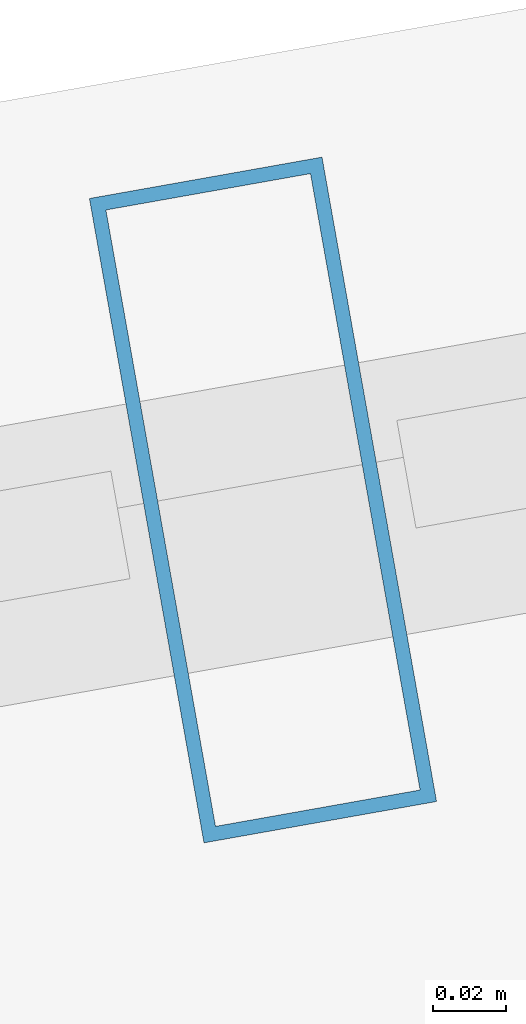
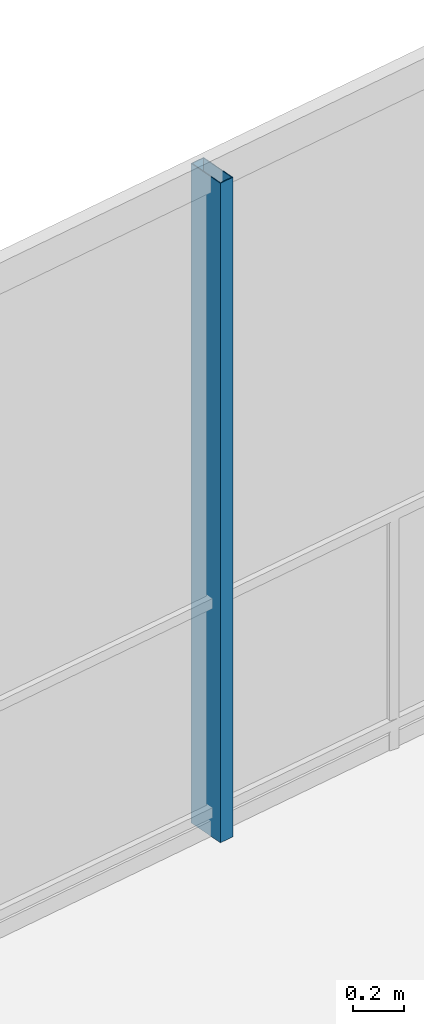
# One storey, part 18 of 27: 1 member, 1 element without a shape of its own.
"""IFC4 building model written with IfcOpenShell, lengths in metres."""

import ifcopenshell
import ifcopenshell.guid

model = None  # the IFC model being written
_history = None  # IfcOwnerHistory: only IFC2X3 demands one
_inside = {}  # id of a spatial element -> (the spatial element, [elements in it])
_under = {}  # id of a project, library or spatial element -> (it, [spatial elements below it])
_declared = {}  # id of a project -> (the project, [libraries it declares])
_typed = {}  # id of a type object -> (the type object, [elements of that type])
_made_of = {}  # id of a material, layer set ... -> (it, [elements and type objects made of it])


def new_model(schema):
    """Start an empty IFC model of exactly this schema.

    Asked for "IFC4X3", IfcOpenShell would pick the latest addendum, in which some entities
    have other attributes; the version numbers below select the first issue.
    IFC2X3 requires an IfcOwnerHistory on every rooted entity: one is made here for all.
    """
    global model, _history
    if schema == "IFC4X3":
        model = ifcopenshell.file(schema_version=(4, 3, 0, 0))
    else:
        model = ifcopenshell.file(schema=schema)
    _inside.clear()
    _under.clear()
    _declared.clear()
    _typed.clear()
    _made_of.clear()
    _history = None
    if model.schema == "IFC2X3":
        org = make("IfcOrganization", Name="unknown")
        user = make(
            "IfcPersonAndOrganization",
            ThePerson=make("IfcPerson", FamilyName="unknown"),
            TheOrganization=org,
        )
        app = make(
            "IfcApplication",
            ApplicationDeveloper=org,
            Version="unknown",
            ApplicationFullName="unknown",
            ApplicationIdentifier="unknown",
        )
        _history = make(
            "IfcOwnerHistory",
            OwningUser=user,
            OwningApplication=app,
            ChangeAction="ADDED",
            CreationDate=0,
        )
    return model


def make(cls, **values):
    """One entity of the class cls with the attributes given. An attribute that is None is left unset."""
    return model.create_entity(
        cls, **{name: value for name, value in values.items() if value is not None}
    )


def rooted(cls, **values):
    """An entity with a GlobalId (a new one), such as an element, a storey or a relation."""
    return make(cls, GlobalId=ifcopenshell.guid.new(), OwnerHistory=_history, **values)


def si_unit(unit_type, name, prefix=None):
    """IfcSIUnit, for example si_unit("LENGTHUNIT", "METRE", prefix="MILLI")."""
    return make("IfcSIUnit", UnitType=unit_type, Prefix=prefix, Name=name)


def assignment(units):
    """IfcUnitAssignment: the units of a project."""
    return None if units is None else make("IfcUnitAssignment", Units=units)


def point(xyz):
    """IfcCartesianPoint."""
    return None if xyz is None else make("IfcCartesianPoint", Coordinates=xyz)


def direction(xyz):
    """IfcDirection."""
    return None if xyz is None else make("IfcDirection", DirectionRatios=xyz)


def frame(location, z_axis=None, x_axis=None):
    """IfcAxis2Placement3D, a coordinate frame: its origin and axes. An axis left out is left unset."""
    return make(
        "IfcAxis2Placement3D",
        Location=point(location),
        Axis=direction(z_axis),
        RefDirection=direction(x_axis),
    )


def frame_2d(location, x_axis=None):
    """IfcAxis2Placement2D, a coordinate frame in the plane: its origin and x axis."""
    return make(
        "IfcAxis2Placement2D", Location=point(location), RefDirection=direction(x_axis)
    )


def origin():
    """The frame at (0, 0, 0) with its axes left unset."""
    return frame((0.0, 0.0, 0.0))


def origin_2d():
    """The frame at (0, 0) in the plane with its x axis left unset."""
    return frame_2d((0.0, 0.0))


def place(relative_to, where):
    """IfcLocalPlacement: puts the frame where relative to a parent placement (None: the world)."""
    return make(
        "IfcLocalPlacement", PlacementRelTo=relative_to, RelativePlacement=where
    )


def context(
    kind, dimensions, precision=None, world=None, true_north=None, identifier=None
):
    """IfcGeometricRepresentationContext, for example the 3D "Model" context."""
    return make(
        "IfcGeometricRepresentationContext",
        ContextIdentifier=identifier,
        ContextType=kind,
        CoordinateSpaceDimension=dimensions,
        Precision=precision,
        WorldCoordinateSystem=world,
        TrueNorth=true_north,
    )


def subcontext(parent, identifier, kind, view, scale=None):
    """IfcGeometricRepresentationSubContext, for example "Body" below "Model"."""
    return make(
        "IfcGeometricRepresentationSubContext",
        ContextIdentifier=identifier,
        ContextType=kind,
        ParentContext=parent,
        TargetScale=scale,
        TargetView=view,
    )


def project(units=None, contexts=None):
    """IfcProject with its units and contexts."""
    return rooted(
        "IfcProject",
        Name="project",
        RepresentationContexts=contexts,
        UnitsInContext=assignment(units),
    )


def spatial(cls, under=None, at=None, **own):
    """A site, building, storey or space (cls), placed at a placement, below another one or the project."""
    s = rooted(cls, ObjectPlacement=at, **own)
    if under is not None:
        _under.setdefault(under.id(), (under, []))[1].append(s)
    return s


def profile(cls, at=None, kind="AREA", **sizes):
    """A parametric profile (cls). Its sizes go by their IFC names, for example OverallWidth=200.0."""
    return make(cls, ProfileType=kind, Position=at, **sizes)


def hollow_rectangle(**sizes):
    """IfcRectangleHollowProfileDef."""
    return profile("IfcRectangleHollowProfileDef", **sizes)


def extrude(swept, where, along, depth):
    """IfcExtrudedAreaSolid: the profile swept, set in the frame where, extruded along a direction by depth."""
    return make(
        "IfcExtrudedAreaSolid",
        SweptArea=swept,
        Position=where,
        ExtrudedDirection=direction(along),
        Depth=depth,
    )


def shape(context_of_items, identifier, shape_type, items):
    """IfcShapeRepresentation: the items that make up one representation, for example the "Body"."""
    return make(
        "IfcShapeRepresentation",
        ContextOfItems=context_of_items,
        RepresentationIdentifier=identifier,
        RepresentationType=shape_type,
        Items=items,
    )


def material(Name=None, Category=None):
    """IfcMaterial."""
    return make("IfcMaterial", Name=Name, Category=Category)


def layer(
    of_material, thickness, ventilated=None, Name=None, Category=None, Priority=None
):
    """IfcMaterialLayer: one layer of a wall or slab, of a material (None: an air gap)."""
    return make(
        "IfcMaterialLayer",
        Material=of_material,
        LayerThickness=thickness,
        IsVentilated=ventilated,
        Name=Name,
        Category=Category,
        Priority=Priority,
    )


def layer_set(layers, Name=None):
    """IfcMaterialLayerSet."""
    return make("IfcMaterialLayerSet", MaterialLayers=layers, LayerSetName=Name)


def material_profile(
    of_material, cross_section, Name=None, Category=None, Priority=None
):
    """IfcMaterialProfile: a cross section and its material."""
    return make(
        "IfcMaterialProfile",
        Name=Name,
        Material=of_material,
        Profile=cross_section,
        Priority=Priority,
        Category=Category,
    )


def profile_set(profiles, Name=None, composite=None):
    """IfcMaterialProfileSet."""
    return make(
        "IfcMaterialProfileSet",
        Name=Name,
        MaterialProfiles=profiles,
        CompositeProfile=composite,
    )


def made_of(thing, what):
    """Note that an element or type object is made of a material, layer set ...; save() writes the relation."""
    if what is not None:
        _made_of.setdefault(what.id(), (what, []))[1].append(thing)
    return thing


def type_object(cls, material=None, **own):
    """A type object (cls), such as IfcWallType, which elements share."""
    return made_of(rooted(cls, **own), material)


def element(
    cls,
    number,
    at=None,
    inside=None,
    cuts=None,
    type_object=None,
    material=None,
    context=None,
    identifier="Body",
    shape_type=None,
    held_by="IfcProductDefinitionShape",
    body=None,
    shapes=None,
    **own,
):
    """One element of the class cls, such as IfcWall. Its Tag is "e" and its number.

    at: its placement. inside: the storey or other place that contains it. cuts: it is an
    opening in that element (IfcRelVoidsElement). A single representation is given by context,
    identifier, shape_type and body (its items); several are given by shapes. held_by: the class
    of the entity that holds the representations. save() writes the other relations.
    """
    e = rooted(cls, Tag="e%d" % number, ObjectPlacement=at, **own)
    if body is not None:
        shapes = [shape(context, identifier, shape_type, body)]
    if shapes is not None:
        e.Representation = make(held_by, Representations=shapes)
    if inside is not None:
        _inside.setdefault(inside.id(), (inside, []))[1].append(e)
    if cuts is not None:
        rooted(
            "IfcRelVoidsElement", RelatingBuildingElement=cuts, RelatedOpeningElement=e
        )
    if type_object is not None:
        _typed.setdefault(type_object.id(), (type_object, []))[1].append(e)
    return made_of(e, material)


def aggregate(whole, parts):
    """IfcRelAggregates: a whole, such as a stair, and the parts it consists of."""
    return rooted("IfcRelAggregates", RelatingObject=whole, RelatedObjects=parts)


def save(model, path):
    """Write the relations noted so far, then the file.

    IfcRelAggregates (storeys below a building ...), IfcRelContainedInSpatialStructure (elements
    in a storey), IfcRelDefinesByType, IfcRelAssociatesMaterial and IfcRelDeclares: one each for
    every whole, place, type object, material and project.
    """
    for whole, parts in _under.values():
        aggregate(whole, parts)
    for where, things in _inside.values():
        rooted(
            "IfcRelContainedInSpatialStructure",
            RelatedElements=things,
            RelatingStructure=where,
        )
    for kind, things in _typed.values():
        rooted("IfcRelDefinesByType", RelatedObjects=things, RelatingType=kind)
    for what, things in _made_of.values():
        rooted("IfcRelAssociatesMaterial", RelatedObjects=things, RelatingMaterial=what)
    for by, libraries in _declared.values():
        rooted("IfcRelDeclares", RelatingContext=by, RelatedDefinitions=libraries)
    model.write(path)


model = new_model("IFC4")

# Units and contexts
model_context = context("Model", 3, precision=1e-05, world=origin(), true_north=direction((0.0, 1.0)))
body_context = subcontext(model_context, "Body", "Model", "MODEL_VIEW")
ifc_project = project(units=[si_unit("LENGTHUNIT", "METRE"), si_unit("AREAUNIT", "SQUARE_METRE"), si_unit("VOLUMEUNIT", "CUBIC_METRE"), si_unit("PLANEANGLEUNIT", "RADIAN"), si_unit("MASSUNIT", "GRAM", prefix="KILO")], contexts=[model_context])

# Site, building, storey
site_placement = place(None, origin())
site = spatial("IfcSite", under=ifc_project, at=site_placement, CompositionType="ELEMENT")
building_placement = place(site_placement, origin())
building = spatial("IfcBuilding", under=site, at=building_placement, Name="Qarnah Convention Tower", CompositionType="ELEMENT")
storey_placement = place(building_placement, frame((0.0, 0.0, 103.949951171875)))
storey = spatial("IfcBuildingStorey", under=building, at=storey_placement, Name="L27", CompositionType="ELEMENT", Elevation=103.949951171875)

# Curtain wall, member
ifc_material_1 = material(Name="Tempered Low-E dark glass", Category="glass")
ifc_layer = layer(ifc_material_1, 0.169921875)
ifc_layer_set = layer_set([ifc_layer], Name="Tempered Low-E dark glass")
curtain_wall_type = type_object("IfcCurtainWallType", Name="CWS-02", PredefinedType="NOTDEFINED", material=ifc_layer_set)
curtain_wall_placement = place(storey_placement, origin())
curtain_wall = element("IfcCurtainWall", 1, at=curtain_wall_placement, inside=storey, type_object=curtain_wall_type, Name="L27 unitised curtain wall CW-L27-F3", PredefinedType="NOTDEFINED")
ifc_material_2 = material(Name="Black anodised aluminium", Category="aluminium")
ifc_material_profile = material_profile(ifc_material_2, hollow_rectangle(XDim=0.06494140625, YDim=0.179931640625, WallThickness=0.00390625, at=origin_2d()), Name="MUL-65X180")
ifc_profile_set = profile_set([ifc_material_profile], Name="Black anodised aluminium")
member_type = type_object("IfcMemberType", Name="MUL-T2", PredefinedType="MULLION", material=ifc_profile_set)
member_placement = place(storey_placement, frame((31.624755859375, 43.006103515625, 0.0), z_axis=(0.0, 0.0, 1.0), x_axis=(0.984561462952, 0.175039211808, 0.0)))
member = element("IfcMember", 2, at=member_placement, type_object=member_type, Name="CW-L27-F3 mullion 3", PredefinedType="MULLION", context=body_context, shape_type="SweptSolid", body=[
    extrude(hollow_rectangle(XDim=0.06494140625, YDim=0.179931640625, WallThickness=0.00390625, at=origin_2d()), origin(), (0.0, 0.0, 1.0), 3.170166015625),
])
aggregate(curtain_wall, [member])

save(model, "model.ifc")
